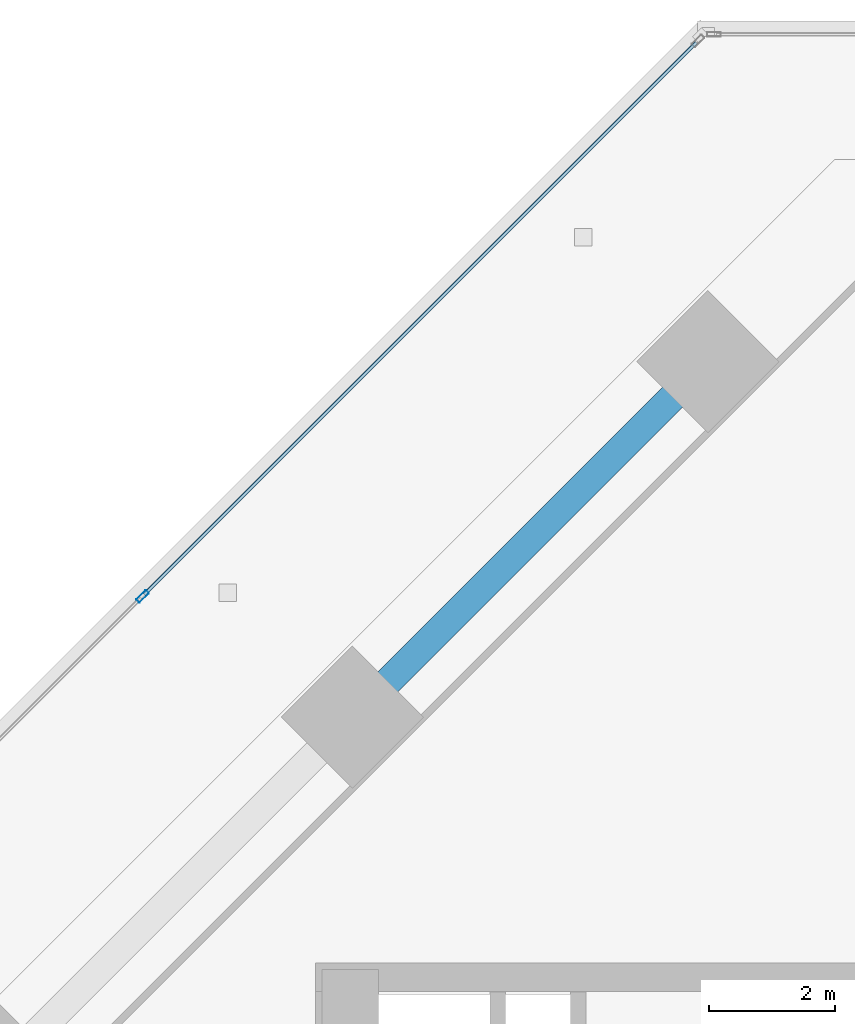
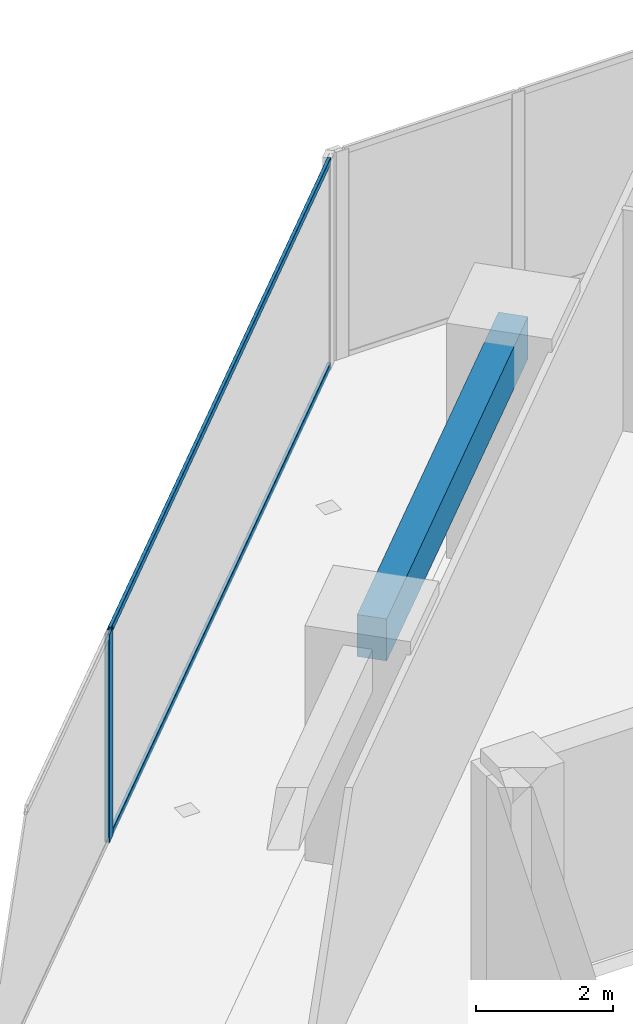
# One storey, part 9 of 17: 3 members, 1 beam, 1 element without a shape of its own.
"""IFC4 building model written with IfcOpenShell, lengths in metres."""

import ifcopenshell
import ifcopenshell.guid

model = None  # the IFC model being written
_history = None  # IfcOwnerHistory: only IFC2X3 demands one
_inside = {}  # id of a spatial element -> (the spatial element, [elements in it])
_under = {}  # id of a project, library or spatial element -> (it, [spatial elements below it])
_declared = {}  # id of a project -> (the project, [libraries it declares])
_typed = {}  # id of a type object -> (the type object, [elements of that type])
_made_of = {}  # id of a material, layer set ... -> (it, [elements and type objects made of it])


def new_model(schema):
    """Start an empty IFC model of exactly this schema.

    Asked for "IFC4X3", IfcOpenShell would pick the latest addendum, in which some entities
    have other attributes; the version numbers below select the first issue.
    IFC2X3 requires an IfcOwnerHistory on every rooted entity: one is made here for all.
    """
    global model, _history
    if schema == "IFC4X3":
        model = ifcopenshell.file(schema_version=(4, 3, 0, 0))
    else:
        model = ifcopenshell.file(schema=schema)
    _inside.clear()
    _under.clear()
    _declared.clear()
    _typed.clear()
    _made_of.clear()
    _history = None
    if model.schema == "IFC2X3":
        org = make("IfcOrganization", Name="unknown")
        user = make(
            "IfcPersonAndOrganization",
            ThePerson=make("IfcPerson", FamilyName="unknown"),
            TheOrganization=org,
        )
        app = make(
            "IfcApplication",
            ApplicationDeveloper=org,
            Version="unknown",
            ApplicationFullName="unknown",
            ApplicationIdentifier="unknown",
        )
        _history = make(
            "IfcOwnerHistory",
            OwningUser=user,
            OwningApplication=app,
            ChangeAction="ADDED",
            CreationDate=0,
        )
    return model


def make(cls, **values):
    """One entity of the class cls with the attributes given. An attribute that is None is left unset."""
    return model.create_entity(
        cls, **{name: value for name, value in values.items() if value is not None}
    )


def rooted(cls, **values):
    """An entity with a GlobalId (a new one), such as an element, a storey or a relation."""
    return make(cls, GlobalId=ifcopenshell.guid.new(), OwnerHistory=_history, **values)


def si_unit(unit_type, name, prefix=None):
    """IfcSIUnit, for example si_unit("LENGTHUNIT", "METRE", prefix="MILLI")."""
    return make("IfcSIUnit", UnitType=unit_type, Prefix=prefix, Name=name)


def assignment(units):
    """IfcUnitAssignment: the units of a project."""
    return None if units is None else make("IfcUnitAssignment", Units=units)


def point(xyz):
    """IfcCartesianPoint."""
    return None if xyz is None else make("IfcCartesianPoint", Coordinates=xyz)


def direction(xyz):
    """IfcDirection."""
    return None if xyz is None else make("IfcDirection", DirectionRatios=xyz)


def frame(location, z_axis=None, x_axis=None):
    """IfcAxis2Placement3D, a coordinate frame: its origin and axes. An axis left out is left unset."""
    return make(
        "IfcAxis2Placement3D",
        Location=point(location),
        Axis=direction(z_axis),
        RefDirection=direction(x_axis),
    )


def frame_2d(location, x_axis=None):
    """IfcAxis2Placement2D, a coordinate frame in the plane: its origin and x axis."""
    return make(
        "IfcAxis2Placement2D", Location=point(location), RefDirection=direction(x_axis)
    )


def origin():
    """The frame at (0, 0, 0) with its axes left unset."""
    return frame((0.0, 0.0, 0.0))


def origin_2d():
    """The frame at (0, 0) in the plane with its x axis left unset."""
    return frame_2d((0.0, 0.0))


def place(relative_to, where):
    """IfcLocalPlacement: puts the frame where relative to a parent placement (None: the world)."""
    return make(
        "IfcLocalPlacement", PlacementRelTo=relative_to, RelativePlacement=where
    )


def context(
    kind, dimensions, precision=None, world=None, true_north=None, identifier=None
):
    """IfcGeometricRepresentationContext, for example the 3D "Model" context."""
    return make(
        "IfcGeometricRepresentationContext",
        ContextIdentifier=identifier,
        ContextType=kind,
        CoordinateSpaceDimension=dimensions,
        Precision=precision,
        WorldCoordinateSystem=world,
        TrueNorth=true_north,
    )


def subcontext(parent, identifier, kind, view, scale=None):
    """IfcGeometricRepresentationSubContext, for example "Body" below "Model"."""
    return make(
        "IfcGeometricRepresentationSubContext",
        ContextIdentifier=identifier,
        ContextType=kind,
        ParentContext=parent,
        TargetScale=scale,
        TargetView=view,
    )


def project(units=None, contexts=None):
    """IfcProject with its units and contexts."""
    return rooted(
        "IfcProject",
        Name="project",
        RepresentationContexts=contexts,
        UnitsInContext=assignment(units),
    )


def spatial(cls, under=None, at=None, **own):
    """A site, building, storey or space (cls), placed at a placement, below another one or the project."""
    s = rooted(cls, ObjectPlacement=at, **own)
    if under is not None:
        _under.setdefault(under.id(), (under, []))[1].append(s)
    return s


def profile(cls, at=None, kind="AREA", **sizes):
    """A parametric profile (cls). Its sizes go by their IFC names, for example OverallWidth=200.0."""
    return make(cls, ProfileType=kind, Position=at, **sizes)


def rectangle(**sizes):
    """IfcRectangleProfileDef."""
    return profile("IfcRectangleProfileDef", **sizes)


def hollow_rectangle(**sizes):
    """IfcRectangleHollowProfileDef."""
    return profile("IfcRectangleHollowProfileDef", **sizes)


def extrude(swept, where, along, depth):
    """IfcExtrudedAreaSolid: the profile swept, set in the frame where, extruded along a direction by depth."""
    return make(
        "IfcExtrudedAreaSolid",
        SweptArea=swept,
        Position=where,
        ExtrudedDirection=direction(along),
        Depth=depth,
    )


def shape(context_of_items, identifier, shape_type, items):
    """IfcShapeRepresentation: the items that make up one representation, for example the "Body"."""
    return make(
        "IfcShapeRepresentation",
        ContextOfItems=context_of_items,
        RepresentationIdentifier=identifier,
        RepresentationType=shape_type,
        Items=items,
    )


def source(mapping_origin, context_of_items, identifier, shape_type, items):
    """IfcRepresentationMap: a shape defined once, which mapped items show again and again."""
    return make(
        "IfcRepresentationMap",
        MappingOrigin=mapping_origin,
        MappedRepresentation=shape(context_of_items, identifier, shape_type, items),
    )


def transform(
    local_origin,
    x_axis=None,
    y_axis=None,
    z_axis=None,
    scale=None,
    scale2=None,
    scale3=None,
    uniform=True,
):
    """IfcCartesianTransformationOperator3D, or its non-uniform kind. x_axis, y_axis, z_axis: its Axis1, 2, 3."""
    if uniform:
        return make(
            "IfcCartesianTransformationOperator3D",
            Axis1=direction(x_axis),
            Axis2=direction(y_axis),
            LocalOrigin=point(local_origin),
            Scale=scale,
            Axis3=direction(z_axis),
        )
    return make(
        "IfcCartesianTransformationOperator3DnonUniform",
        Axis1=direction(x_axis),
        Axis2=direction(y_axis),
        LocalOrigin=point(local_origin),
        Scale=scale,
        Axis3=direction(z_axis),
        Scale2=scale2,
        Scale3=scale3,
    )


def mapped(mapping_source, mapping_target):
    """IfcMappedItem: shows the shape of a source again, moved by a transform."""
    return make(
        "IfcMappedItem", MappingSource=mapping_source, MappingTarget=mapping_target
    )


def material(Name=None, Category=None):
    """IfcMaterial."""
    return make("IfcMaterial", Name=Name, Category=Category)


def material_profile(
    of_material, cross_section, Name=None, Category=None, Priority=None
):
    """IfcMaterialProfile: a cross section and its material."""
    return make(
        "IfcMaterialProfile",
        Name=Name,
        Material=of_material,
        Profile=cross_section,
        Priority=Priority,
        Category=Category,
    )


def profile_set(profiles, Name=None, composite=None):
    """IfcMaterialProfileSet."""
    return make(
        "IfcMaterialProfileSet",
        Name=Name,
        MaterialProfiles=profiles,
        CompositeProfile=composite,
    )


def made_of(thing, what):
    """Note that an element or type object is made of a material, layer set ...; save() writes the relation."""
    if what is not None:
        _made_of.setdefault(what.id(), (what, []))[1].append(thing)
    return thing


def type_object(cls, material=None, **own):
    """A type object (cls), such as IfcWallType, which elements share."""
    return made_of(rooted(cls, **own), material)


def element(
    cls,
    number,
    at=None,
    inside=None,
    cuts=None,
    type_object=None,
    material=None,
    context=None,
    identifier="Body",
    shape_type=None,
    held_by="IfcProductDefinitionShape",
    body=None,
    shapes=None,
    **own,
):
    """One element of the class cls, such as IfcWall. Its Tag is "e" and its number.

    at: its placement. inside: the storey or other place that contains it. cuts: it is an
    opening in that element (IfcRelVoidsElement). A single representation is given by context,
    identifier, shape_type and body (its items); several are given by shapes. held_by: the class
    of the entity that holds the representations. save() writes the other relations.
    """
    e = rooted(cls, Tag="e%d" % number, ObjectPlacement=at, **own)
    if body is not None:
        shapes = [shape(context, identifier, shape_type, body)]
    if shapes is not None:
        e.Representation = make(held_by, Representations=shapes)
    if inside is not None:
        _inside.setdefault(inside.id(), (inside, []))[1].append(e)
    if cuts is not None:
        rooted(
            "IfcRelVoidsElement", RelatingBuildingElement=cuts, RelatedOpeningElement=e
        )
    if type_object is not None:
        _typed.setdefault(type_object.id(), (type_object, []))[1].append(e)
    return made_of(e, material)


def aggregate(whole, parts):
    """IfcRelAggregates: a whole, such as a stair, and the parts it consists of."""
    return rooted("IfcRelAggregates", RelatingObject=whole, RelatedObjects=parts)


def save(model, path):
    """Write the relations noted so far, then the file.

    IfcRelAggregates (storeys below a building ...), IfcRelContainedInSpatialStructure (elements
    in a storey), IfcRelDefinesByType, IfcRelAssociatesMaterial and IfcRelDeclares: one each for
    every whole, place, type object, material and project.
    """
    for whole, parts in _under.values():
        aggregate(whole, parts)
    for where, things in _inside.values():
        rooted(
            "IfcRelContainedInSpatialStructure",
            RelatedElements=things,
            RelatingStructure=where,
        )
    for kind, things in _typed.values():
        rooted("IfcRelDefinesByType", RelatedObjects=things, RelatingType=kind)
    for what, things in _made_of.values():
        rooted("IfcRelAssociatesMaterial", RelatedObjects=things, RelatingMaterial=what)
    for by, libraries in _declared.values():
        rooted("IfcRelDeclares", RelatingContext=by, RelatedDefinitions=libraries)
    model.write(path)


model = new_model("IFC4")

# Units and contexts
model_context = context("Model", 3, precision=1e-05, world=origin(), true_north=direction((0.0, 1.0)))
body_context = subcontext(model_context, "Body", "Model", "MODEL_VIEW")
ifc_project = project(units=[si_unit("LENGTHUNIT", "METRE"), si_unit("AREAUNIT", "SQUARE_METRE"), si_unit("VOLUMEUNIT", "CUBIC_METRE"), si_unit("PLANEANGLEUNIT", "RADIAN"), si_unit("MASSUNIT", "GRAM", prefix="KILO")], contexts=[model_context])

# Site, building, storey
site_placement = place(None, origin())
site = spatial("IfcSite", under=ifc_project, at=site_placement, CompositionType="ELEMENT")
building_placement = place(site_placement, origin())
building = spatial("IfcBuilding", under=site, at=building_placement, Name="Torre Montelarca", CompositionType="ELEMENT")
storey_placement = place(building_placement, frame((0.0, 0.0, 241.60009765625)))
storey = spatial("IfcBuildingStorey", under=building, at=storey_placement, Name="L54", CompositionType="ELEMENT", Elevation=241.60009765625)

# Beam
ifc_material_1 = material(Name="Concrete C55/67", Category="concrete")
ifc_material_profile_1 = material_profile(ifc_material_1, rectangle(XDim=0.449951171875, YDim=0.75, at=origin_2d()), Name="RCB450X750", Category="concrete")
ifc_profile_set_1 = profile_set([ifc_material_profile_1], Name="Concrete C55/67")
beam_type = type_object("IfcBeamType", Name="BM-SP-RC750-EXT", PredefinedType="SPANDREL", material=ifc_profile_set_1)
shared_shape_1 = source(origin(), body_context, "Body", "SweptSolid", [
    extrude(rectangle(XDim=0.449951171875, YDim=0.75, at=origin_2d()), origin(), (0.0, 0.0, 1.0), 8.0),
])
beam_placement = place(storey_placement, frame((9.585205078125, 43.914794921875, 3.5849609375), z_axis=(0.707122039795, 0.707091522249, 0.0), x_axis=(-0.707091522249, 0.707122039795, 0.0)))
element("IfcBeam", 1, at=beam_placement, inside=storey, type_object=beam_type, Name="L54 Grid Girder Y 32.0-40.0 at X=4.7", PredefinedType="SPANDREL", context=body_context, shape_type="MappedRepresentation", body=[
    mapped(shared_shape_1, transform((0.0, 0.0, 0.0), scale=1.0)),
])

# Curtain wall, members
ifc_material_2 = material(Name="Insulated low-E laminated glass", Category="glass")
curtain_wall_type = type_object("IfcCurtainWallType", Name="CW-SYS-Z3", PredefinedType="USERDEFINED", material=ifc_material_2)
curtain_wall_placement = place(storey_placement, origin())
curtain_wall = element("IfcCurtainWall", 2, at=curtain_wall_placement, inside=storey, type_object=curtain_wall_type, Name="L54 Curtain Wall Run CW-T3-L54-E10-B1", ObjectType="UNITISED GLAZING", PredefinedType="USERDEFINED")
ifc_material_3 = material(Name="Anodised aluminium AA 6063-T6", Category="aluminium")
ifc_material_profile_2 = material_profile(ifc_material_3, hollow_rectangle(XDim=0.054931640625, YDim=0.1201171875, WallThickness=0.00341796875, InnerFilletRadius=0.00341796875, OuterFilletRadius=0.007080078125, at=origin_2d()), Name="ALU55X120X3.5", Category="aluminium")
ifc_profile_set_2 = profile_set([ifc_material_profile_2], Name="Anodised aluminium AA 6063-T6")
member_type_1 = type_object("IfcMemberType", Name="CWT-ALU120", PredefinedType="USERDEFINED", material=ifc_profile_set_2)
shared_shape_2 = source(origin(), body_context, "Body", "SweptSolid", [
    extrude(hollow_rectangle(XDim=0.054931640625, YDim=0.1201171875, WallThickness=0.00341796875, InnerFilletRadius=0.00341796875, OuterFilletRadius=0.007080078125, at=origin_2d()), origin(), (0.0, 0.0, 1.0), 12.421630859375),
])
member_1_placement = place(storey_placement, frame((15.0576171875, 54.64794921875, 0.02734375), z_axis=(-0.707106781187, -0.707106781187, 0.0), x_axis=(0.707106781187, -0.707106781187, 0.0)))
member_1 = element("IfcMember", 3, at=member_1_placement, type_object=member_type_1, Name="CW transom 1.1", ObjectType="TRANSOM", PredefinedType="USERDEFINED", context=body_context, shape_type="MappedRepresentation", body=[
    mapped(shared_shape_2, transform((0.0, 0.0, 0.0), scale=1.0)),
])
member_2_placement = place(storey_placement, frame((15.0576171875, 54.64794921875, 3.6923828125), z_axis=(-0.707106781187, -0.707106781187, 0.0), x_axis=(0.707106781187, -0.707106781187, 0.0)))
member_2 = element("IfcMember", 4, at=member_2_placement, type_object=member_type_1, Name="CW transom 1.2", ObjectType="TRANSOM", PredefinedType="USERDEFINED", context=body_context, shape_type="MappedRepresentation", body=[
    mapped(shared_shape_2, transform((0.0, 0.0, 0.0), scale=1.0)),
])
ifc_material_profile_3 = material_profile(ifc_material_3, hollow_rectangle(XDim=0.074951171875, YDim=0.219970703125, WallThickness=0.0048828125, InnerFilletRadius=0.0048828125, OuterFilletRadius=0.010009765625, at=origin_2d()), Name="ALU75X220X5", Category="aluminium")
ifc_profile_set_3 = profile_set([ifc_material_profile_3], Name="Anodised aluminium AA 6063-T6")
member_type_2 = type_object("IfcMemberType", Name="CWM-ALU220", PredefinedType="MULLION", material=ifc_profile_set_3)
shared_shape_3 = source(origin(), body_context, "Body", "SweptSolid", [
    extrude(hollow_rectangle(XDim=0.074951171875, YDim=0.219970703125, WallThickness=0.0048828125, InnerFilletRadius=0.0048828125, OuterFilletRadius=0.010009765625, at=origin_2d()), origin(), (0.0, 0.0, 1.0), 3.719970703125),
])
member_3_placement = place(storey_placement, frame((6.24755859375, 45.838134765625, 0.0), z_axis=(0.0, 0.0, 1.0), x_axis=(0.707108775742, -0.707104786625, 0.0)))
member_3 = element("IfcMember", 5, at=member_3_placement, type_object=member_type_2, Name="CW mullion 2", PredefinedType="MULLION", context=body_context, shape_type="MappedRepresentation", body=[
    mapped(shared_shape_3, transform((0.0, 0.0, 0.0), scale=1.0)),
])
aggregate(curtain_wall, [member_3, member_1, member_2])

save(model, "model.ifc")
